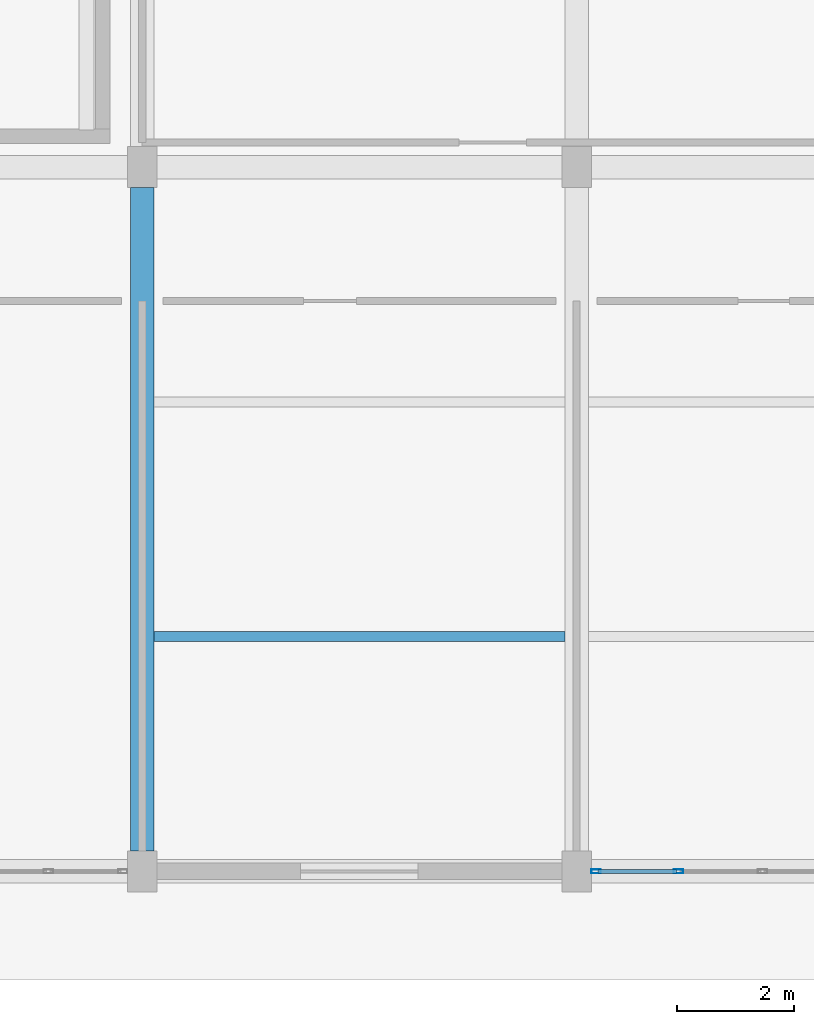
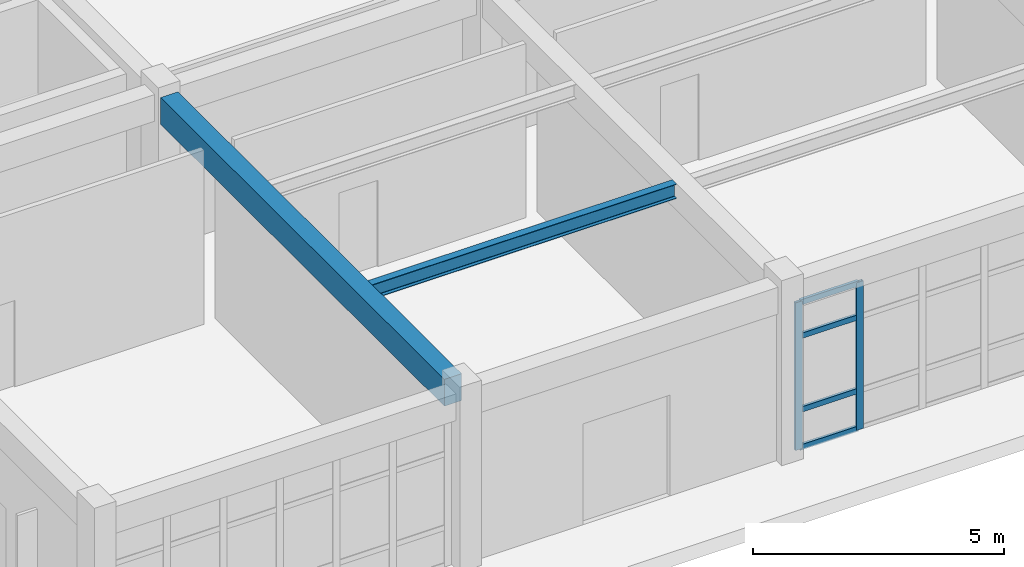
# One storey, part 30 of 154: 6 members, 2 beams, 1 element without a shape of its own.
"""IFC4 building model written with IfcOpenShell, lengths in metres."""

from ifc_helpers import new_model, si_unit, direction, frame, origin, origin_2d, place, context, subcontext, project, spatial, rectangle, hollow_rectangle, i_section, extrude, material, material_profile, profile_set, type_object, element, aggregate, save


model = new_model("IFC4")

# Units and contexts
model_context = context("Model", 3, precision=1e-05, world=origin(), true_north=direction((0.0, 1.0)))
body_context = subcontext(model_context, "Body", "Model", "MODEL_VIEW")
ifc_project = project(units=[si_unit("LENGTHUNIT", "METRE"), si_unit("AREAUNIT", "SQUARE_METRE"), si_unit("VOLUMEUNIT", "CUBIC_METRE"), si_unit("PLANEANGLEUNIT", "RADIAN"), si_unit("MASSUNIT", "GRAM", prefix="KILO")], contexts=[model_context])

# Site, building, storey
site_placement = place(None, origin())
site = spatial("IfcSite", under=ifc_project, at=site_placement, CompositionType="ELEMENT")
building_placement = place(site_placement, origin())
building = spatial("IfcBuilding", under=site, at=building_placement, Name="Kestramere Prow Commons", CompositionType="ELEMENT")
storey_placement = place(building_placement, origin())
storey = spatial("IfcBuildingStorey", under=building, at=storey_placement, Name="L00", CompositionType="ELEMENT", Elevation=0.0)

# Beam
ifc_material_1 = material(Name="Precast concrete C40/50", Category="concrete")
ifc_material_profile_1 = material_profile(ifc_material_1, rectangle(XDim=0.39990234375, YDim=0.64990234375, at=origin_2d()), Name="PC-BM 400x650")
ifc_profile_set_1 = profile_set([ifc_material_profile_1], Name="Precast concrete C40/50")
beam_type_1 = type_object("IfcBeamType", Name="BM-MK-01 PC-BM 400x650", PredefinedType="BEAM", material=ifc_profile_set_1)
beam_1_placement = place(storey_placement, frame((68.39990234375, 0.35009765625, 3.925048828125), z_axis=(0.0, 1.0, 0.0), x_axis=(-1.0, 0.0, 0.0)))
element("IfcBeam", 1, at=beam_1_placement, inside=storey, type_object=beam_type_1, Name="Market Spine L00 Beam Y 2-1", PredefinedType="BEAM", context=body_context, shape_type="SweptSolid", body=[
    extrude(rectangle(XDim=0.39990234375, YDim=0.64990234375, at=origin_2d()), origin(), (0.0, 0.0, 1.0), 11.2998046875),
])

# Curtain wall, members
ifc_material_2 = material(Name="Anodised Aluminium and Low-E Glass", Category="aluminium")
curtain_wall_type = type_object("IfcCurtainWallType", Name="CW-21 Glazed Curtain Wall 8600x3590", PredefinedType="USERDEFINED", material=ifc_material_2)
curtain_wall_placement = place(storey_placement, origin())
curtain_wall = element("IfcCurtainWall", 2, at=curtain_wall_placement, inside=storey, type_object=curtain_wall_type, Name="Market L00 South Shopfront 3", ObjectType="GLAZED CURTAIN WALL", PredefinedType="USERDEFINED")
ifc_material_3 = material(Name="Anodised Aluminium 6063-T6", Category="aluminium")
ifc_material_profile_2 = material_profile(ifc_material_3, hollow_rectangle(XDim=0.06494140625, YDim=0.159912109375, WallThickness=0.00390625, at=origin_2d()), Name="ALU-MUL 65x160")
ifc_profile_set_2 = profile_set([ifc_material_profile_2], Name="Anodised Aluminium 6063-T6")
member_type_1 = type_object("IfcMemberType", Name="CW-MUL-65x160", PredefinedType="MULLION", material=ifc_profile_set_2)
member_1_placement = place(storey_placement, frame((77.533447265625, 0.0, 0.0), z_axis=(0.0, 0.0, 1.0), x_axis=(0.0, -1.0, 0.0)))
member_1 = element("IfcMember", 3, at=member_1_placement, type_object=member_type_1, Name="CW-21 mullion 6", PredefinedType="MULLION", context=body_context, shape_type="SweptSolid", body=[
    extrude(hollow_rectangle(XDim=0.06494140625, YDim=0.159912109375, WallThickness=0.00390625, at=origin_2d()), origin(), (0.0, 0.0, 1.0), 3.590087890625),
])
member_2_placement = place(storey_placement, frame((76.132568359375, 0.0, 0.0), z_axis=(0.0, 0.0, 1.0), x_axis=(0.0, -1.0, 0.0)))
member_2 = element("IfcMember", 4, at=member_2_placement, type_object=member_type_1, Name="CW-21 mullion 7", PredefinedType="MULLION", context=body_context, shape_type="SweptSolid", body=[
    extrude(hollow_rectangle(XDim=0.06494140625, YDim=0.159912109375, WallThickness=0.00390625, at=origin_2d()), origin(), (0.0, 0.0, 1.0), 3.590087890625),
])
ifc_material_profile_3 = material_profile(ifc_material_3, hollow_rectangle(XDim=0.06494140625, YDim=0.1298828125, WallThickness=0.00390625, at=origin_2d()), Name="ALU-TRN 65x130")
ifc_profile_set_3 = profile_set([ifc_material_profile_3], Name="Anodised Aluminium 6063-T6")
member_type_2 = type_object("IfcMemberType", Name="CW-TRN-65x130", PredefinedType="USERDEFINED", material=ifc_profile_set_3)
member_3_placement = place(storey_placement, frame((77.500732421875, 0.0, 0.032470703125), z_axis=(-1.0, 0.0, 0.0), x_axis=(0.0, -1.0, 0.0)))
member_3 = element("IfcMember", 5, at=member_3_placement, type_object=member_type_2, Name="CW-21 transom 6.1", ObjectType="TRANSOM", PredefinedType="USERDEFINED", context=body_context, shape_type="SweptSolid", body=[
    extrude(hollow_rectangle(XDim=0.06494140625, YDim=0.1298828125, WallThickness=0.00390625, at=origin_2d()), origin(), (0.0, 0.0, 1.0), 1.335693359375),
])
member_4_placement = place(storey_placement, frame((77.500732421875, 0.0, 0.949951171875), z_axis=(-1.0, 0.0, 0.0), x_axis=(0.0, -1.0, 0.0)))
member_4 = element("IfcMember", 6, at=member_4_placement, type_object=member_type_2, Name="CW-21 transom 6.2", ObjectType="TRANSOM", PredefinedType="USERDEFINED", context=body_context, shape_type="SweptSolid", body=[
    extrude(hollow_rectangle(XDim=0.06494140625, YDim=0.1298828125, WallThickness=0.00390625, at=origin_2d()), origin(), (0.0, 0.0, 1.0), 1.335693359375),
])
member_5_placement = place(storey_placement, frame((77.500732421875, 0.0, 2.739990234375), z_axis=(-1.0, 0.0, 0.0), x_axis=(0.0, -1.0, 0.0)))
member_5 = element("IfcMember", 7, at=member_5_placement, type_object=member_type_2, Name="CW-21 transom 6.3", ObjectType="TRANSOM", PredefinedType="USERDEFINED", context=body_context, shape_type="SweptSolid", body=[
    extrude(hollow_rectangle(XDim=0.06494140625, YDim=0.1298828125, WallThickness=0.00390625, at=origin_2d()), origin(), (0.0, 0.0, 1.0), 1.335693359375),
])
member_6_placement = place(storey_placement, frame((77.500732421875, 0.0, 3.5576171875), z_axis=(-1.0, 0.0, 0.0), x_axis=(0.0, -1.0, 0.0)))
member_6 = element("IfcMember", 8, at=member_6_placement, type_object=member_type_2, Name="CW-21 transom 6.4", ObjectType="TRANSOM", PredefinedType="USERDEFINED", context=body_context, shape_type="SweptSolid", body=[
    extrude(hollow_rectangle(XDim=0.06494140625, YDim=0.1298828125, WallThickness=0.00390625, at=origin_2d()), origin(), (0.0, 0.0, 1.0), 1.335693359375),
])
aggregate(curtain_wall, [member_1, member_2, member_3, member_4, member_5, member_6])

# Beam
ifc_material_4 = material(Name="Steel S355JR", Category="steel")
ifc_material_profile_4 = material_profile(ifc_material_4, i_section(OverallWidth=0.17138671875, OverallDepth=0.35498046875, WebThickness=0.00732421875, FlangeThickness=0.011474609375, FilletRadius=0.01025390625, at=origin_2d()), Name="UB 356x171x51")
ifc_profile_set_4 = profile_set([ifc_material_profile_4], Name="Steel S355JR")
beam_type_2 = type_object("IfcBeamType", Name="JST-MK-01 UB 356x171x51", PredefinedType="JOIST", material=ifc_profile_set_4)
beam_2_placement = place(storey_placement, frame((68.60009765625, 4.0, 4.072509765625), z_axis=(1.0, 0.0, 0.0), x_axis=(0.0, 1.0, 0.0)))
element("IfcBeam", 9, at=beam_2_placement, inside=storey, type_object=beam_type_2, Name="Market Spine L00 Secondary Joist 2-4", PredefinedType="JOIST", context=body_context, shape_type="SweptSolid", body=[
    extrude(i_section(OverallWidth=0.17138671875, OverallDepth=0.35498046875, WebThickness=0.00732421875, FlangeThickness=0.011474609375, FilletRadius=0.01025390625, at=origin_2d()), origin(), (0.0, 0.0, 1.0), 7.0),
])

save(model, "model.ifc")
